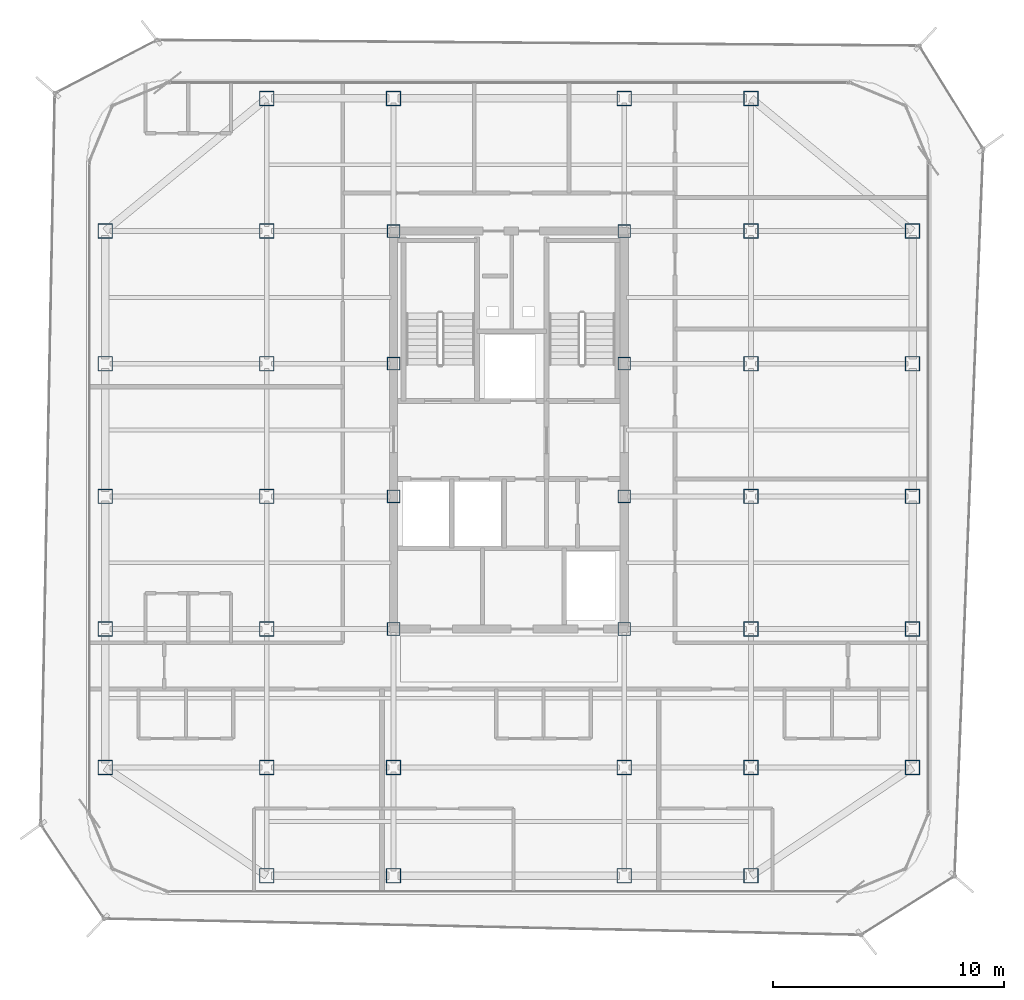
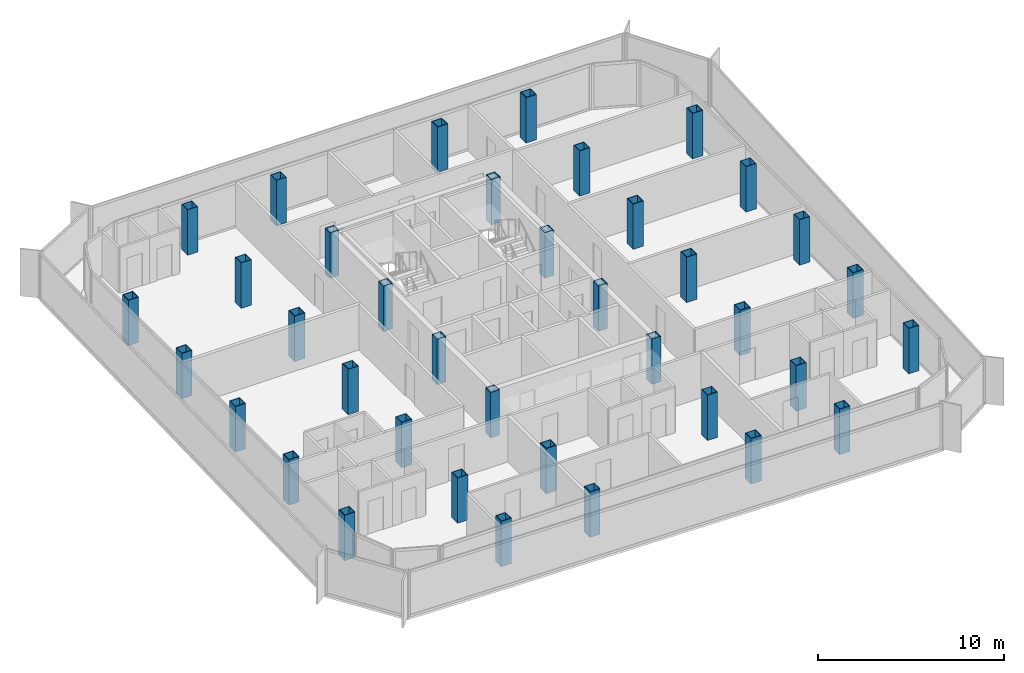
# One storey, part 1 of 15: 38 columns.
"""IFC4 building model written with IfcOpenShell, lengths in metres."""

from ifc_helpers import new_model, si_unit, direction, frame, origin, origin_2d, place, context, subcontext, project, spatial, hollow_rectangle, extrude, source, transform, mapped, material, material_profile, profile_set, type_object, element, save


model = new_model("IFC4")

# Units and contexts
model_context = context("Model", 3, precision=1e-05, world=origin(), true_north=direction((0.0, 1.0)))
body_context = subcontext(model_context, "Body", "Model", "MODEL_VIEW")
ifc_project = project(units=[si_unit("LENGTHUNIT", "METRE"), si_unit("AREAUNIT", "SQUARE_METRE"), si_unit("VOLUMEUNIT", "CUBIC_METRE"), si_unit("PLANEANGLEUNIT", "RADIAN"), si_unit("MASSUNIT", "GRAM", prefix="KILO")], contexts=[model_context])

# Site, building, storey
site_placement = place(None, origin())
site = spatial("IfcSite", under=ifc_project, at=site_placement, CompositionType="ELEMENT")
building_placement = place(site_placement, origin())
building = spatial("IfcBuilding", under=site, at=building_placement, Name="Kolveth Station Tower", CompositionType="ELEMENT")
storey_placement = place(building_placement, frame((0.0, 0.0, 223.300048828125)))
storey = spatial("IfcBuildingStorey", under=building, at=storey_placement, Name="L63", CompositionType="ELEMENT", Elevation=223.300048828125)

# Columns
ifc_material = material(Name="Steel S355", Category="steel")
ifc_material_profile_1 = material_profile(ifc_material, hollow_rectangle(XDim=0.639892578125, YDim=0.639892578125, WallThickness=0.034912109375, at=origin_2d()), Name="BOX640x640x35")
ifc_profile_set_1 = profile_set([ifc_material_profile_1], Name="Steel S355")
column_type_1 = type_object("IfcColumnType", Name="Col_C7", PredefinedType="COLUMN", material=ifc_profile_set_1)
shared_shape_1 = source(origin(), body_context, "Body", "SweptSolid", [
    extrude(hollow_rectangle(XDim=0.639892578125, YDim=0.639892578125, WallThickness=0.034912109375, at=origin_2d()), origin(), (0.0, 0.0, 1.0), 2.97998046875),
])
for number, where, z_axis, x_axis, name in (
    (1, (13.0, 0.800048828125, 0.0), (0.0, 0.0, 1.0), (1.0, 0.0, 0.0), "L63 Tower Column S-X130"),
    (2, (13.0, 34.5, 0.0), (0.0, 0.0, 1.0), (1.0, 0.0, 0.0), "L63 Tower Column N-X130"),
    (3, (18.5, 0.800048828125, 0.0), (0.0, 0.0, 1.0), (1.0, 0.0, 0.0), "L63 Tower Column S-X185"),
    (4, (18.5, 34.5, 0.0), (0.0, 0.0, 1.0), (1.0, 0.0, 0.0), "L63 Tower Column N-X185"),
    (5, (28.5, 0.800048828125, 0.0), (0.0, 0.0, 1.0), (1.0, 0.0, 0.0), "L63 Tower Column S-X285"),
    (6, (28.5, 34.5, 0.0), (0.0, 0.0, 1.0), (1.0, 0.0, 0.0), "L63 Tower Column N-X285"),
    (7, (34.0, 0.800048828125, 0.0), (0.0, 0.0, 1.0), (1.0, 0.0, 0.0), "L63 Tower Column S-X340"),
    (8, (34.0, 34.5, 0.0), (0.0, 0.0, 1.0), (1.0, 0.0, 0.0), "L63 Tower Column N-X340"),
    (9, (6.0, 5.5, 0.0), (0.0, 0.0, 1.0), (1.0, 0.0, 0.0), "L63 Tower Column W-Y55"),
    (10, (41.0, 5.5, 0.0), (0.0, 0.0, 1.0), (1.0, 0.0, 0.0), "L63 Tower Column E-Y55"),
    (11, (6.0, 11.5, 0.0), (0.0, 0.0, 1.0), (1.0, 0.0, 0.0), "L63 Tower Column W-Y115"),
    (12, (41.0, 11.5, 0.0), (0.0, 0.0, 1.0), (1.0, 0.0, 0.0), "L63 Tower Column E-Y115"),
    (13, (6.0, 17.25, 0.0), (0.0, 0.0, 1.0), (1.0, 0.0, 0.0), "L63 Tower Column W-Y172"),
    (14, (41.0, 17.25, 0.0), (0.0, 0.0, 1.0), (1.0, 0.0, 0.0), "L63 Tower Column E-Y172"),
    (15, (6.0, 23.0, 0.0), (0.0, 0.0, 1.0), (1.0, 0.0, 0.0), "L63 Tower Column W-Y230"),
    (16, (41.0, 23.0, 0.0), (0.0, 0.0, 1.0), (1.0, 0.0, 0.0), "L63 Tower Column E-Y230"),
    (17, (6.0, 28.75, 0.0), (0.0, 0.0, 1.0), (1.0, 0.0, 0.0), "L63 Tower Column W-Y287"),
    (18, (41.0, 28.75, 0.0), (0.0, 0.0, 1.0), (1.0, 0.0, 0.0), "L63 Tower Column E-Y287"),
    (19, (13.0, 5.5, 0.0), (0.0, 0.0, 1.0), (1.0, 0.0, 0.0), "L63 Tower Column G-130-55"),
    (20, (13.0, 11.5, 0.0), (0.0, 0.0, 1.0), (1.0, 0.0, 0.0), "L63 Tower Column G-130-115"),
    (21, (13.0, 17.25, 0.0), (0.0, 0.0, 1.0), (1.0, 0.0, 0.0), "L63 Tower Column G-130-172"),
    (22, (13.0, 23.0, 0.0), (0.0, 0.0, 1.0), (1.0, 0.0, 0.0), "L63 Tower Column G-130-230"),
    (23, (13.0, 28.75, 0.0), (0.0, 0.0, 1.0), (1.0, 0.0, 0.0), "L63 Tower Column G-130-287"),
    (24, (18.5, 5.5, 0.0), (0.0, 0.0, 1.0), (1.0, 0.0, 0.0), "L63 Tower Column G-185-55"),
    (25, (28.5, 5.5, 0.0), (0.0, 0.0, 1.0), (1.0, 0.0, 0.0), "L63 Tower Column G-285-55"),
    (26, (34.0, 5.5, 0.0), (0.0, 0.0, 1.0), (1.0, 0.0, 0.0), "L63 Tower Column G-340-55"),
    (27, (34.0, 11.5, 0.0), (0.0, 0.0, 1.0), (1.0, 0.0, 0.0), "L63 Tower Column G-340-115"),
    (28, (34.0, 17.25, 0.0), (0.0, 0.0, 1.0), (1.0, 0.0, 0.0), "L63 Tower Column G-340-172"),
    (29, (34.0, 23.0, 0.0), (0.0, 0.0, 1.0), (1.0, 0.0, 0.0), "L63 Tower Column G-340-230"),
    (30, (34.0, 28.75, 0.0), (0.0, 0.0, 1.0), (1.0, 0.0, 0.0), "L63 Tower Column G-340-287"),
):
    element("IfcColumn", number, at=place(storey_placement, frame(where, z_axis=z_axis, x_axis=x_axis)), inside=storey, type_object=column_type_1, Name=name, PredefinedType="COLUMN", context=body_context, shape_type="MappedRepresentation", body=[
        mapped(shared_shape_1, transform((0.0, 0.0, 0.0), x_axis=(1.0, 0.0, 0.0), y_axis=(0.0, 1.0, 0.0), z_axis=(0.0, 0.0, 1.0), scale=1.0)),
    ])
ifc_material_profile_2 = material_profile(ifc_material, hollow_rectangle(XDim=0.56005859375, YDim=0.56005859375, WallThickness=0.030029296875, at=origin_2d()), Name="BOX560x560x30")
ifc_profile_set_2 = profile_set([ifc_material_profile_2], Name="Steel S355")
column_type_2 = type_object("IfcColumnType", Name="Col_C8", PredefinedType="COLUMN", material=ifc_profile_set_2)
shared_shape_2 = source(origin(), body_context, "Body", "SweptSolid", [
    extrude(hollow_rectangle(XDim=0.56005859375, YDim=0.56005859375, WallThickness=0.030029296875, at=origin_2d()), origin(), (0.0, 0.0, 1.0), 2.97998046875),
])
for number, where, z_axis, x_axis, name in (
    (31, (18.5, 11.5, 0.0), (0.0, 0.0, 1.0), (1.0, 0.0, 0.0), "L63 Tower Column G-185-115"),
    (32, (18.5, 17.25, 0.0), (0.0, 0.0, 1.0), (1.0, 0.0, 0.0), "L63 Tower Column G-185-172"),
    (33, (18.5, 23.0, 0.0), (0.0, 0.0, 1.0), (1.0, 0.0, 0.0), "L63 Tower Column G-185-230"),
    (34, (18.5, 28.75, 0.0), (0.0, 0.0, 1.0), (1.0, 0.0, 0.0), "L63 Tower Column G-185-287"),
    (35, (28.5, 11.5, 0.0), (0.0, 0.0, 1.0), (1.0, 0.0, 0.0), "L63 Tower Column G-285-115"),
    (36, (28.5, 17.25, 0.0), (0.0, 0.0, 1.0), (1.0, 0.0, 0.0), "L63 Tower Column G-285-172"),
    (37, (28.5, 23.0, 0.0), (0.0, 0.0, 1.0), (1.0, 0.0, 0.0), "L63 Tower Column G-285-230"),
    (38, (28.5, 28.75, 0.0), (0.0, 0.0, 1.0), (1.0, 0.0, 0.0), "L63 Tower Column G-285-287"),
):
    element("IfcColumn", number, at=place(storey_placement, frame(where, z_axis=z_axis, x_axis=x_axis)), inside=storey, type_object=column_type_2, Name=name, PredefinedType="COLUMN", context=body_context, shape_type="MappedRepresentation", body=[
        mapped(shared_shape_2, transform((0.0, 0.0, 0.0), x_axis=(1.0, 0.0, 0.0), y_axis=(0.0, 1.0, 0.0), z_axis=(0.0, 0.0, 1.0), scale=1.0)),
    ])

save(model, "model.ifc")
